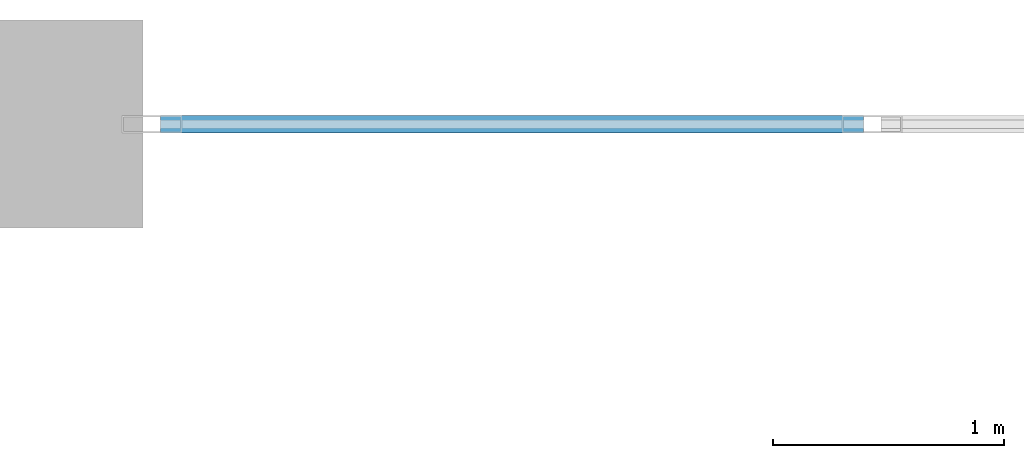
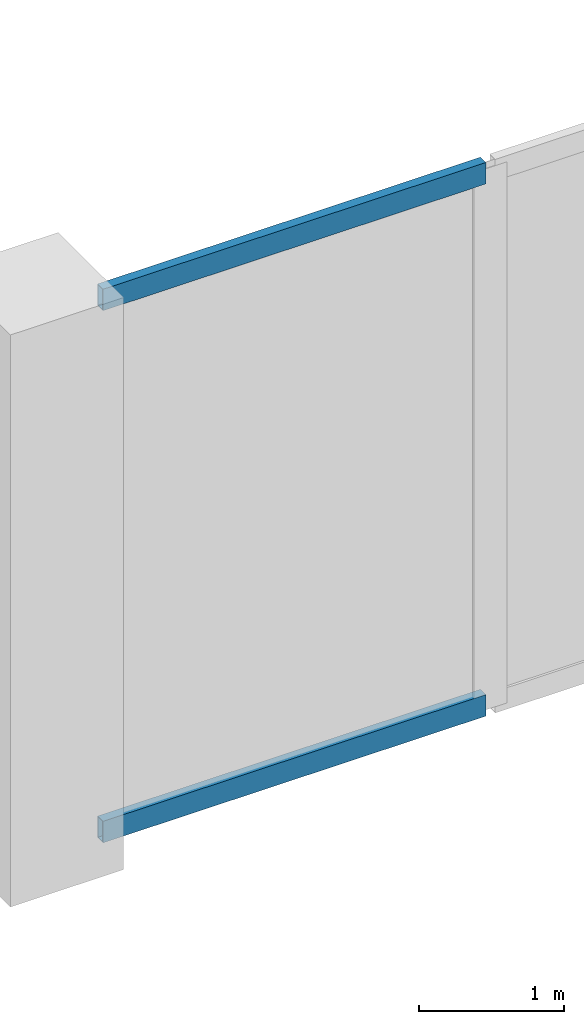
# One storey, part 29 of 99: 2 members, 1 element without a shape of its own.
"""IFC4 building model written with IfcOpenShell, lengths in metres."""

from ifc_helpers import new_model, si_unit, direction, frame, origin, origin_2d, place, context, subcontext, project, spatial, hollow_rectangle, extrude, material, material_profile, profile_set, type_object, element, aggregate, save


model = new_model("IFC4")

# Units and contexts
model_context = context("Model", 3, precision=1e-05, world=origin(), true_north=direction((0.0, 1.0)))
body_context = subcontext(model_context, "Body", "Model", "MODEL_VIEW")
ifc_project = project(units=[si_unit("LENGTHUNIT", "METRE"), si_unit("AREAUNIT", "SQUARE_METRE"), si_unit("VOLUMEUNIT", "CUBIC_METRE"), si_unit("PLANEANGLEUNIT", "RADIAN"), si_unit("MASSUNIT", "GRAM", prefix="KILO")], contexts=[model_context])

# Site, building, storey
site_placement = place(None, origin())
site = spatial("IfcSite", under=ifc_project, at=site_placement, CompositionType="ELEMENT")
building_placement = place(site_placement, origin())
building = spatial("IfcBuilding", under=site, at=building_placement, Name="Vesperath Aquatics Centre", CompositionType="ELEMENT")
storey_placement = place(building_placement, frame((0.0, 0.0, 5.39990234375)))
storey = spatial("IfcBuildingStorey", under=building, at=storey_placement, Name="L01", CompositionType="ELEMENT", Elevation=5.39990234375)

# Curtain wall, members
ifc_material_1 = material(Name="Thermally broken anodised bronze aluminium curtain wall", Category="aluminium")
curtain_wall_type = type_object("IfcCurtainWallType", Name="CW-02", PredefinedType="NOTDEFINED", material=ifc_material_1)
curtain_wall_placement = place(storey_placement, origin())
curtain_wall = element("IfcCurtainWall", 1, at=curtain_wall_placement, inside=storey, type_object=curtain_wall_type, Name="Facade Curtain Wall CW02 L01_N_04_16", PredefinedType="NOTDEFINED")
ifc_material_2 = material(Name="Thermally broken anodised aluminium", Category="aluminium")
ifc_material_profile = material_profile(ifc_material_2, hollow_rectangle(XDim=0.074951171875, YDim=0.179931640625, WallThickness=0.0048828125, at=origin_2d()), Name="CWT 75x180x5")
ifc_profile_set = profile_set([ifc_material_profile], Name="Thermally broken anodised aluminium")
member_type = type_object("IfcMemberType", Name="MB-CWT1", PredefinedType="USERDEFINED", material=ifc_profile_set)
member_1_placement = place(storey_placement, frame((29.324951171875, 115.199951171875, 0.03759765625), z_axis=(1.0, 0.0, 0.0), x_axis=(0.0, 1.0, 0.0)))
member_1 = element("IfcMember", 2, at=member_1_placement, type_object=member_type, Name="CW02 transom 1.1", ObjectType="TRANSOM", PredefinedType="USERDEFINED", context=body_context, shape_type="SweptSolid", body=[
    extrude(hollow_rectangle(XDim=0.074951171875, YDim=0.179931640625, WallThickness=0.0048828125, at=origin_2d()), origin(), (0.0, 0.0, 1.0), 3.03759765625),
])
member_2_placement = place(storey_placement, frame((29.324951171875, 115.199951171875, 4.502685546875), z_axis=(1.0, 0.0, 0.0), x_axis=(0.0, 1.0, 0.0)))
member_2 = element("IfcMember", 3, at=member_2_placement, type_object=member_type, Name="CW02 transom 1.2", ObjectType="TRANSOM", PredefinedType="USERDEFINED", context=body_context, shape_type="SweptSolid", body=[
    extrude(hollow_rectangle(XDim=0.074951171875, YDim=0.179931640625, WallThickness=0.0048828125, at=origin_2d()), origin(), (0.0, 0.0, 1.0), 3.03759765625),
])
aggregate(curtain_wall, [member_1, member_2])

save(model, "model.ifc")
